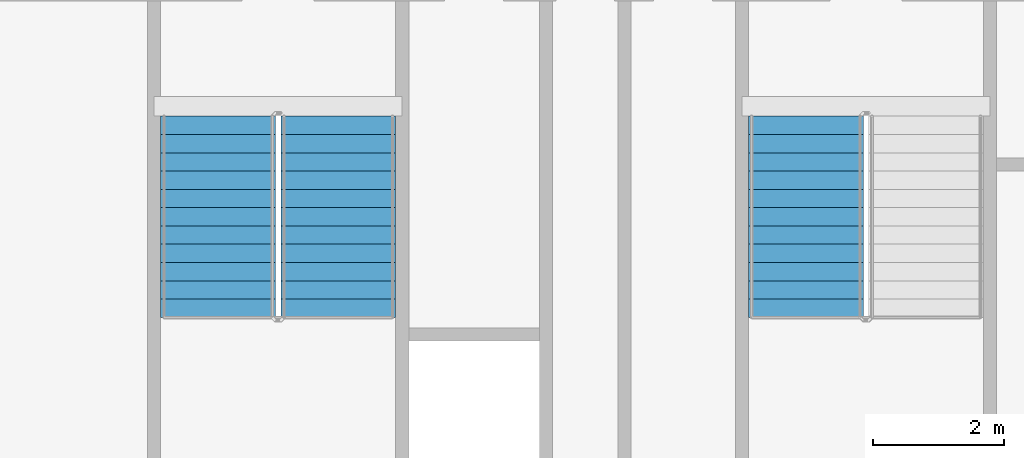
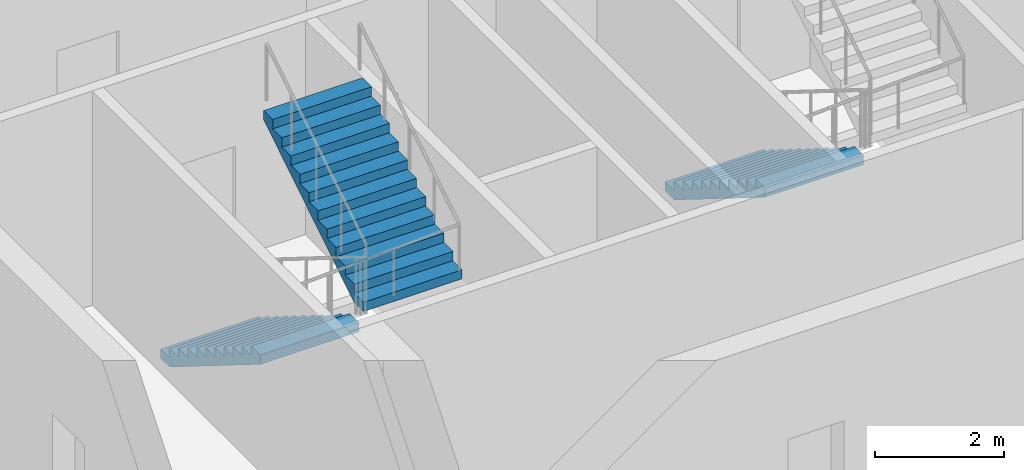
# One storey, part 28 of 35: 3 stair flights, 2 elements without a shape of their own.
"""IFC4 building model written with IfcOpenShell, lengths in metres."""

import ifcopenshell
import ifcopenshell.guid

model = None  # the IFC model being written
_history = None  # IfcOwnerHistory: only IFC2X3 demands one
_inside = {}  # id of a spatial element -> (the spatial element, [elements in it])
_under = {}  # id of a project, library or spatial element -> (it, [spatial elements below it])
_declared = {}  # id of a project -> (the project, [libraries it declares])
_typed = {}  # id of a type object -> (the type object, [elements of that type])
_made_of = {}  # id of a material, layer set ... -> (it, [elements and type objects made of it])


def new_model(schema):
    """Start an empty IFC model of exactly this schema.

    Asked for "IFC4X3", IfcOpenShell would pick the latest addendum, in which some entities
    have other attributes; the version numbers below select the first issue.
    IFC2X3 requires an IfcOwnerHistory on every rooted entity: one is made here for all.
    """
    global model, _history
    if schema == "IFC4X3":
        model = ifcopenshell.file(schema_version=(4, 3, 0, 0))
    else:
        model = ifcopenshell.file(schema=schema)
    _inside.clear()
    _under.clear()
    _declared.clear()
    _typed.clear()
    _made_of.clear()
    _history = None
    if model.schema == "IFC2X3":
        org = make("IfcOrganization", Name="unknown")
        user = make(
            "IfcPersonAndOrganization",
            ThePerson=make("IfcPerson", FamilyName="unknown"),
            TheOrganization=org,
        )
        app = make(
            "IfcApplication",
            ApplicationDeveloper=org,
            Version="unknown",
            ApplicationFullName="unknown",
            ApplicationIdentifier="unknown",
        )
        _history = make(
            "IfcOwnerHistory",
            OwningUser=user,
            OwningApplication=app,
            ChangeAction="ADDED",
            CreationDate=0,
        )
    return model


def make(cls, **values):
    """One entity of the class cls with the attributes given. An attribute that is None is left unset."""
    return model.create_entity(
        cls, **{name: value for name, value in values.items() if value is not None}
    )


def rooted(cls, **values):
    """An entity with a GlobalId (a new one), such as an element, a storey or a relation."""
    return make(cls, GlobalId=ifcopenshell.guid.new(), OwnerHistory=_history, **values)


def si_unit(unit_type, name, prefix=None):
    """IfcSIUnit, for example si_unit("LENGTHUNIT", "METRE", prefix="MILLI")."""
    return make("IfcSIUnit", UnitType=unit_type, Prefix=prefix, Name=name)


def assignment(units):
    """IfcUnitAssignment: the units of a project."""
    return None if units is None else make("IfcUnitAssignment", Units=units)


def point(xyz):
    """IfcCartesianPoint."""
    return None if xyz is None else make("IfcCartesianPoint", Coordinates=xyz)


def direction(xyz):
    """IfcDirection."""
    return None if xyz is None else make("IfcDirection", DirectionRatios=xyz)


def frame(location, z_axis=None, x_axis=None):
    """IfcAxis2Placement3D, a coordinate frame: its origin and axes. An axis left out is left unset."""
    return make(
        "IfcAxis2Placement3D",
        Location=point(location),
        Axis=direction(z_axis),
        RefDirection=direction(x_axis),
    )


def origin():
    """The frame at (0, 0, 0) with its axes left unset."""
    return frame((0.0, 0.0, 0.0))


def place(relative_to, where):
    """IfcLocalPlacement: puts the frame where relative to a parent placement (None: the world)."""
    return make(
        "IfcLocalPlacement", PlacementRelTo=relative_to, RelativePlacement=where
    )


def context(
    kind, dimensions, precision=None, world=None, true_north=None, identifier=None
):
    """IfcGeometricRepresentationContext, for example the 3D "Model" context."""
    return make(
        "IfcGeometricRepresentationContext",
        ContextIdentifier=identifier,
        ContextType=kind,
        CoordinateSpaceDimension=dimensions,
        Precision=precision,
        WorldCoordinateSystem=world,
        TrueNorth=true_north,
    )


def subcontext(parent, identifier, kind, view, scale=None):
    """IfcGeometricRepresentationSubContext, for example "Body" below "Model"."""
    return make(
        "IfcGeometricRepresentationSubContext",
        ContextIdentifier=identifier,
        ContextType=kind,
        ParentContext=parent,
        TargetScale=scale,
        TargetView=view,
    )


def project(units=None, contexts=None):
    """IfcProject with its units and contexts."""
    return rooted(
        "IfcProject",
        Name="project",
        RepresentationContexts=contexts,
        UnitsInContext=assignment(units),
    )


def spatial(cls, under=None, at=None, **own):
    """A site, building, storey or space (cls), placed at a placement, below another one or the project."""
    s = rooted(cls, ObjectPlacement=at, **own)
    if under is not None:
        _under.setdefault(under.id(), (under, []))[1].append(s)
    return s


def faces_of(points, faces, orient=None, outer=None):
    """IfcFace entities. A face is a list of loops; a loop is a list of indices into points, from 0.

    orient and outer hold one flag for each loop. By default every Orientation is true, the
    first loop of a face is its IfcFaceOuterBound and the others are IfcFaceBound.
    """
    made = []
    for i, loops in enumerate(faces):
        bounds = []
        for j, loop in enumerate(loops):
            is_outer = j == 0 if outer is None else outer[i][j]
            bounds.append(
                make(
                    "IfcFaceOuterBound" if is_outer else "IfcFaceBound",
                    Bound=make("IfcPolyLoop", Polygon=[points[k] for k in loop]),
                    Orientation=True if orient is None else orient[i][j],
                )
            )
        made.append(make("IfcFace", Bounds=bounds))
    return made


def faceted_brep(points, faces, orient=None, outer=None, voids=None):
    """IfcFacetedBrep: a solid bounded by flat faces; with voids (closed shells), ...WithVoids."""
    shared = [point(p) for p in points]
    hull = make("IfcClosedShell", CfsFaces=faces_of(shared, faces, orient, outer))
    if voids is None:
        return make("IfcFacetedBrep", Outer=hull)
    return make(
        "IfcFacetedBrepWithVoids",
        Outer=hull,
        Voids=[
            make(cls, CfsFaces=faces_of(shared, fs, o, b)) for cls, fs, o, b in voids
        ],
    )


def shape(context_of_items, identifier, shape_type, items):
    """IfcShapeRepresentation: the items that make up one representation, for example the "Body"."""
    return make(
        "IfcShapeRepresentation",
        ContextOfItems=context_of_items,
        RepresentationIdentifier=identifier,
        RepresentationType=shape_type,
        Items=items,
    )


def material(Name=None, Category=None):
    """IfcMaterial."""
    return make("IfcMaterial", Name=Name, Category=Category)


def made_of(thing, what):
    """Note that an element or type object is made of a material, layer set ...; save() writes the relation."""
    if what is not None:
        _made_of.setdefault(what.id(), (what, []))[1].append(thing)
    return thing


def type_object(cls, material=None, **own):
    """A type object (cls), such as IfcWallType, which elements share."""
    return made_of(rooted(cls, **own), material)


def element(
    cls,
    number,
    at=None,
    inside=None,
    cuts=None,
    type_object=None,
    material=None,
    context=None,
    identifier="Body",
    shape_type=None,
    held_by="IfcProductDefinitionShape",
    body=None,
    shapes=None,
    **own,
):
    """One element of the class cls, such as IfcWall. Its Tag is "e" and its number.

    at: its placement. inside: the storey or other place that contains it. cuts: it is an
    opening in that element (IfcRelVoidsElement). A single representation is given by context,
    identifier, shape_type and body (its items); several are given by shapes. held_by: the class
    of the entity that holds the representations. save() writes the other relations.
    """
    e = rooted(cls, Tag="e%d" % number, ObjectPlacement=at, **own)
    if body is not None:
        shapes = [shape(context, identifier, shape_type, body)]
    if shapes is not None:
        e.Representation = make(held_by, Representations=shapes)
    if inside is not None:
        _inside.setdefault(inside.id(), (inside, []))[1].append(e)
    if cuts is not None:
        rooted(
            "IfcRelVoidsElement", RelatingBuildingElement=cuts, RelatedOpeningElement=e
        )
    if type_object is not None:
        _typed.setdefault(type_object.id(), (type_object, []))[1].append(e)
    return made_of(e, material)


def aggregate(whole, parts):
    """IfcRelAggregates: a whole, such as a stair, and the parts it consists of."""
    return rooted("IfcRelAggregates", RelatingObject=whole, RelatedObjects=parts)


def save(model, path):
    """Write the relations noted so far, then the file.

    IfcRelAggregates (storeys below a building ...), IfcRelContainedInSpatialStructure (elements
    in a storey), IfcRelDefinesByType, IfcRelAssociatesMaterial and IfcRelDeclares: one each for
    every whole, place, type object, material and project.
    """
    for whole, parts in _under.values():
        aggregate(whole, parts)
    for where, things in _inside.values():
        rooted(
            "IfcRelContainedInSpatialStructure",
            RelatedElements=things,
            RelatingStructure=where,
        )
    for kind, things in _typed.values():
        rooted("IfcRelDefinesByType", RelatedObjects=things, RelatingType=kind)
    for what, things in _made_of.values():
        rooted("IfcRelAssociatesMaterial", RelatedObjects=things, RelatingMaterial=what)
    for by, libraries in _declared.values():
        rooted("IfcRelDeclares", RelatingContext=by, RelatedDefinitions=libraries)
    model.write(path)


model = new_model("IFC4")

# Units and contexts
model_context = context("Model", 3, precision=1e-05, world=origin(), true_north=direction((0.0, 1.0)))
body_context = subcontext(model_context, "Body", "Model", "MODEL_VIEW")
ifc_project = project(units=[si_unit("LENGTHUNIT", "METRE"), si_unit("AREAUNIT", "SQUARE_METRE"), si_unit("VOLUMEUNIT", "CUBIC_METRE"), si_unit("PLANEANGLEUNIT", "RADIAN"), si_unit("MASSUNIT", "GRAM", prefix="KILO")], contexts=[model_context])

# Site, building, storey
site_placement = place(None, origin())
site = spatial("IfcSite", under=ifc_project, at=site_placement, CompositionType="ELEMENT")
building_placement = place(site_placement, origin())
building = spatial("IfcBuilding", under=site, at=building_placement, Name="Tarsis Ring Headquarters", CompositionType="ELEMENT")
storey_placement = place(building_placement, frame((0.0, 0.0, 377.60009765625)))
storey = spatial("IfcBuildingStorey", under=building, at=storey_placement, Name="L89", CompositionType="ELEMENT", Elevation=377.60009765625)

# Stair, stair flights
ifc_material_1 = material(Name="Core stair 1760")
stair_type = type_object("IfcStairType", Name="Core stair 1760", PredefinedType="HALF_TURN_STAIR", material=ifc_material_1)
stair_1_placement = place(storey_placement, origin())
stair_1 = element("IfcStair", 1, at=stair_1_placement, inside=storey, type_object=stair_type, Name="L89 Exit stair C", PredefinedType="HALF_TURN_STAIR")
ifc_material_2 = material(Name="Concrete C40/50", Category="concrete")
stair_flight_type = type_object("IfcStairFlightType", Name="Core stair flight 1760", PredefinedType="STRAIGHT", material=ifc_material_2)
stair_flight_1_placement = place(storey_placement, frame((-5.419921875, -3.659912109375, 0.0), z_axis=(0.0, 0.0, 1.0), x_axis=(0.0, -1.0, 0.0)))
stair_flight_1 = element("IfcStairFlight", 2, at=stair_flight_1_placement, type_object=stair_flight_type, Name="Stair ST3 flight 1", NumberOfRisers=12, NumberOfTreads=11, PredefinedType="STRAIGHT", RiserHeight=0.175, TreadLength=0.28, context=body_context, shape_type="Brep", body=[
    faceted_brep([(0.0, 0.8798828125, 0.0), (0.0, 0.8798828125, 0.175048828125), (0.280029296875, 0.8798828125, 0.175048828125), (0.280029296875, 0.8798828125, 0.35009765625), (0.56005859375, 0.8798828125, 0.35009765625), (0.56005859375, 0.8798828125, 0.52490234375), (0.840087890625, 0.8798828125, 0.52490234375), (0.840087890625, 0.8798828125, 0.699951171875), (1.1201171875, 0.8798828125, 0.699951171875), (1.1201171875, 0.8798828125, 0.875), (1.39990234375, 0.8798828125, 0.875), (1.39990234375, 0.8798828125, 1.050048828125), (1.679931640625, 0.8798828125, 1.050048828125), (1.679931640625, 0.8798828125, 1.22509765625), (1.9599609375, 0.8798828125, 1.22509765625), (1.9599609375, 0.8798828125, 1.39990234375), (2.239990234375, 0.8798828125, 1.39990234375), (2.239990234375, 0.8798828125, 1.574951171875), (2.52001953125, 0.8798828125, 1.574951171875), (2.52001953125, 0.8798828125, 1.75), (2.800048828125, 0.8798828125, 1.75), (2.800048828125, 0.8798828125, 1.925048828125), (3.080078125, 0.8798828125, 1.925048828125), (3.080078125, 0.8798828125, 1.748291015625), (0.28271484375, 0.8798828125, 0.0), (0.28271484375, -0.8798828125, 0.0), (3.080078125, -0.8798828125, 1.748291015625), (3.080078125, -0.8798828125, 1.925048828125), (2.800048828125, -0.8798828125, 1.925048828125), (2.800048828125, -0.8798828125, 1.75), (2.52001953125, -0.8798828125, 1.75), (2.52001953125, -0.8798828125, 1.574951171875), (2.239990234375, -0.8798828125, 1.574951171875), (2.239990234375, -0.8798828125, 1.39990234375), (1.9599609375, -0.8798828125, 1.39990234375), (1.9599609375, -0.8798828125, 1.22509765625), (1.679931640625, -0.8798828125, 1.22509765625), (1.679931640625, -0.8798828125, 1.050048828125), (1.39990234375, -0.8798828125, 1.050048828125), (1.39990234375, -0.8798828125, 0.875), (1.1201171875, -0.8798828125, 0.875), (1.1201171875, -0.8798828125, 0.699951171875), (0.840087890625, -0.8798828125, 0.699951171875), (0.840087890625, -0.8798828125, 0.52490234375), (0.56005859375, -0.8798828125, 0.52490234375), (0.56005859375, -0.8798828125, 0.35009765625), (0.280029296875, -0.8798828125, 0.35009765625), (0.280029296875, -0.8798828125, 0.175048828125), (0.0, -0.8798828125, 0.175048828125), (0.0, -0.8798828125, 0.0), (0.0, -0.43994140625, 0.175048828125), (0.0, -0.43994140625, 0.0), (0.0, 0.0, 0.175048828125), (0.0, 0.0, 0.0), (0.0, 0.43994140625, 0.175048828125), (0.0, 0.43994140625, 0.0), (0.280029296875, -0.43994140625, 0.175048828125), (0.280029296875, 0.0, 0.175048828125), (0.280029296875, 0.43994140625, 0.175048828125), (0.280029296875, -0.43994140625, 0.35009765625), (0.280029296875, 0.0, 0.35009765625), (0.280029296875, 0.43994140625, 0.35009765625), (0.56005859375, -0.43994140625, 0.35009765625), (0.56005859375, 0.0, 0.35009765625), (0.56005859375, 0.43994140625, 0.35009765625), (0.56005859375, -0.43994140625, 0.52490234375), (0.56005859375, 0.0, 0.52490234375), (0.56005859375, 0.43994140625, 0.52490234375), (0.840087890625, -0.43994140625, 0.52490234375), (0.840087890625, 0.0, 0.52490234375), (0.840087890625, 0.43994140625, 0.52490234375), (0.840087890625, -0.43994140625, 0.699951171875), (0.840087890625, 0.0, 0.699951171875), (0.840087890625, 0.43994140625, 0.699951171875), (1.1201171875, -0.43994140625, 0.699951171875), (1.1201171875, 0.0, 0.699951171875), (1.1201171875, 0.43994140625, 0.699951171875), (1.1201171875, -0.43994140625, 0.875), (1.1201171875, 0.0, 0.875), (1.1201171875, 0.43994140625, 0.875), (1.39990234375, -0.43994140625, 0.875), (1.39990234375, 0.0, 0.875), (1.39990234375, 0.43994140625, 0.875), (1.39990234375, -0.43994140625, 1.050048828125), (1.39990234375, 0.0, 1.050048828125), (1.39990234375, 0.43994140625, 1.050048828125), (1.679931640625, -0.43994140625, 1.050048828125), (1.679931640625, 0.0, 1.050048828125), (1.679931640625, 0.43994140625, 1.050048828125), (1.679931640625, -0.43994140625, 1.22509765625), (1.679931640625, 0.0, 1.22509765625), (1.679931640625, 0.43994140625, 1.22509765625), (1.9599609375, -0.43994140625, 1.22509765625), (1.9599609375, 0.0, 1.22509765625), (1.9599609375, 0.43994140625, 1.22509765625), (1.9599609375, -0.43994140625, 1.39990234375), (1.9599609375, 0.0, 1.39990234375), (1.9599609375, 0.43994140625, 1.39990234375), (2.239990234375, -0.43994140625, 1.39990234375), (2.239990234375, 0.0, 1.39990234375), (2.239990234375, 0.43994140625, 1.39990234375), (2.239990234375, -0.43994140625, 1.574951171875), (2.239990234375, 0.0, 1.574951171875), (2.239990234375, 0.43994140625, 1.574951171875), (2.52001953125, -0.43994140625, 1.574951171875), (2.52001953125, 0.0, 1.574951171875), (2.52001953125, 0.43994140625, 1.574951171875), (2.52001953125, -0.43994140625, 1.75), (2.52001953125, 0.0, 1.75), (2.52001953125, 0.43994140625, 1.75), (2.800048828125, -0.43994140625, 1.75), (2.800048828125, 0.0, 1.75), (2.800048828125, 0.43994140625, 1.75), (2.800048828125, -0.43994140625, 1.925048828125), (2.800048828125, 0.0, 1.925048828125), (2.800048828125, 0.43994140625, 1.925048828125), (3.080078125, -0.43994140625, 1.925048828125), (3.080078125, 0.0, 1.925048828125), (3.080078125, 0.43994140625, 1.925048828125), (3.080078125, -0.43994140625, 1.748291015625), (3.080078125, 0.0, 1.748291015625), (3.080078125, 0.43994140625, 1.748291015625), (0.28271484375, -0.43994140625, 0.0), (0.28271484375, 0.0, 0.0), (0.28271484375, 0.43994140625, 0.0)], [[[0, 1, 2, 3, 4, 5, 6, 7, 8, 9, 10, 11, 12, 13, 14, 15, 16, 17, 18, 19, 20, 21, 22, 23, 24]], [[25, 26, 27, 28, 29, 30, 31, 32, 33, 34, 35, 36, 37, 38, 39, 40, 41, 42, 43, 44, 45, 46, 47, 48, 49]], [[49, 48, 50, 51]], [[51, 50, 52, 53]], [[53, 52, 54, 55]], [[55, 54, 1, 0]], [[48, 47, 56, 50]], [[50, 56, 57, 52]], [[52, 57, 58, 54]], [[54, 58, 2, 1]], [[47, 46, 59, 56]], [[56, 59, 60, 57]], [[57, 60, 61, 58]], [[58, 61, 3, 2]], [[46, 45, 62, 59]], [[59, 62, 63, 60]], [[60, 63, 64, 61]], [[61, 64, 4, 3]], [[45, 44, 65, 62]], [[62, 65, 66, 63]], [[63, 66, 67, 64]], [[64, 67, 5, 4]], [[44, 43, 68, 65]], [[65, 68, 69, 66]], [[66, 69, 70, 67]], [[67, 70, 6, 5]], [[43, 42, 71, 68]], [[68, 71, 72, 69]], [[69, 72, 73, 70]], [[70, 73, 7, 6]], [[42, 41, 74, 71]], [[71, 74, 75, 72]], [[72, 75, 76, 73]], [[73, 76, 8, 7]], [[41, 40, 77, 74]], [[74, 77, 78, 75]], [[75, 78, 79, 76]], [[76, 79, 9, 8]], [[40, 39, 80, 77]], [[77, 80, 81, 78]], [[78, 81, 82, 79]], [[79, 82, 10, 9]], [[39, 38, 83, 80]], [[80, 83, 84, 81]], [[81, 84, 85, 82]], [[82, 85, 11, 10]], [[38, 37, 86, 83]], [[83, 86, 87, 84]], [[84, 87, 88, 85]], [[85, 88, 12, 11]], [[37, 36, 89, 86]], [[86, 89, 90, 87]], [[87, 90, 91, 88]], [[88, 91, 13, 12]], [[36, 35, 92, 89]], [[89, 92, 93, 90]], [[90, 93, 94, 91]], [[91, 94, 14, 13]], [[35, 34, 95, 92]], [[92, 95, 96, 93]], [[93, 96, 97, 94]], [[94, 97, 15, 14]], [[34, 33, 98, 95]], [[95, 98, 99, 96]], [[96, 99, 100, 97]], [[97, 100, 16, 15]], [[33, 32, 101, 98]], [[98, 101, 102, 99]], [[99, 102, 103, 100]], [[100, 103, 17, 16]], [[32, 31, 104, 101]], [[101, 104, 105, 102]], [[102, 105, 106, 103]], [[103, 106, 18, 17]], [[31, 30, 107, 104]], [[104, 107, 108, 105]], [[105, 108, 109, 106]], [[106, 109, 19, 18]], [[30, 29, 110, 107]], [[107, 110, 111, 108]], [[108, 111, 112, 109]], [[109, 112, 20, 19]], [[29, 28, 113, 110]], [[110, 113, 114, 111]], [[111, 114, 115, 112]], [[112, 115, 21, 20]], [[28, 27, 116, 113]], [[113, 116, 117, 114]], [[114, 117, 118, 115]], [[115, 118, 22, 21]], [[27, 26, 119, 116]], [[116, 119, 120, 117]], [[117, 120, 121, 118]], [[118, 121, 23, 22]], [[26, 25, 122, 119]], [[119, 122, 123, 120]], [[120, 123, 124, 121]], [[121, 124, 24, 23]], [[25, 49, 51, 122]], [[122, 51, 53, 123]], [[123, 53, 55, 124]], [[124, 55, 0, 24]]]),
])
stair_flight_2_placement = place(storey_placement, frame((-3.580078125, -6.739990234375, 2.099853515625), z_axis=(0.0, 0.0, 1.0), x_axis=(0.0, 1.0, 0.0)))
stair_flight_2 = element("IfcStairFlight", 3, at=stair_flight_2_placement, type_object=stair_flight_type, Name="Stair ST3 flight 2", NumberOfRisers=12, NumberOfTreads=11, PredefinedType="STRAIGHT", RiserHeight=0.175, TreadLength=0.28, context=body_context, shape_type="Brep", body=[
    faceted_brep([(0.0, 0.8798828125, 0.0), (0.0, 0.8798828125, 0.175048828125), (0.280029296875, 0.8798828125, 0.175048828125), (0.280029296875, 0.8798828125, 0.35009765625), (0.56005859375, 0.8798828125, 0.35009765625), (0.56005859375, 0.8798828125, 0.52490234375), (0.840087890625, 0.8798828125, 0.52490234375), (0.840087890625, 0.8798828125, 0.699951171875), (1.1201171875, 0.8798828125, 0.699951171875), (1.1201171875, 0.8798828125, 0.875), (1.39990234375, 0.8798828125, 0.875), (1.39990234375, 0.8798828125, 1.050048828125), (1.679931640625, 0.8798828125, 1.050048828125), (1.679931640625, 0.8798828125, 1.22509765625), (1.9599609375, 0.8798828125, 1.22509765625), (1.9599609375, 0.8798828125, 1.39990234375), (2.239990234375, 0.8798828125, 1.39990234375), (2.239990234375, 0.8798828125, 1.574951171875), (2.52001953125, 0.8798828125, 1.574951171875), (2.52001953125, 0.8798828125, 1.75), (2.800048828125, 0.8798828125, 1.75), (2.800048828125, 0.8798828125, 1.925048828125), (3.080078125, 0.8798828125, 1.925048828125), (3.080078125, 0.8798828125, 1.748291015625), (0.28271484375, 0.8798828125, 0.0), (0.28271484375, -0.8798828125, 0.0), (3.080078125, -0.8798828125, 1.748291015625), (3.080078125, -0.8798828125, 1.925048828125), (2.800048828125, -0.8798828125, 1.925048828125), (2.800048828125, -0.8798828125, 1.75), (2.52001953125, -0.8798828125, 1.75), (2.52001953125, -0.8798828125, 1.574951171875), (2.239990234375, -0.8798828125, 1.574951171875), (2.239990234375, -0.8798828125, 1.39990234375), (1.9599609375, -0.8798828125, 1.39990234375), (1.9599609375, -0.8798828125, 1.22509765625), (1.679931640625, -0.8798828125, 1.22509765625), (1.679931640625, -0.8798828125, 1.050048828125), (1.39990234375, -0.8798828125, 1.050048828125), (1.39990234375, -0.8798828125, 0.875), (1.1201171875, -0.8798828125, 0.875), (1.1201171875, -0.8798828125, 0.699951171875), (0.840087890625, -0.8798828125, 0.699951171875), (0.840087890625, -0.8798828125, 0.52490234375), (0.56005859375, -0.8798828125, 0.52490234375), (0.56005859375, -0.8798828125, 0.35009765625), (0.280029296875, -0.8798828125, 0.35009765625), (0.280029296875, -0.8798828125, 0.175048828125), (0.0, -0.8798828125, 0.175048828125), (0.0, -0.8798828125, 0.0), (0.0, -0.43994140625, 0.175048828125), (0.0, -0.43994140625, 0.0), (0.0, 0.0, 0.175048828125), (0.0, 0.0, 0.0), (0.0, 0.43994140625, 0.175048828125), (0.0, 0.43994140625, 0.0), (0.280029296875, -0.43994140625, 0.175048828125), (0.280029296875, 0.0, 0.175048828125), (0.280029296875, 0.43994140625, 0.175048828125), (0.280029296875, -0.43994140625, 0.35009765625), (0.280029296875, 0.0, 0.35009765625), (0.280029296875, 0.43994140625, 0.35009765625), (0.56005859375, -0.43994140625, 0.35009765625), (0.56005859375, 0.0, 0.35009765625), (0.56005859375, 0.43994140625, 0.35009765625), (0.56005859375, -0.43994140625, 0.52490234375), (0.56005859375, 0.0, 0.52490234375), (0.56005859375, 0.43994140625, 0.52490234375), (0.840087890625, -0.43994140625, 0.52490234375), (0.840087890625, 0.0, 0.52490234375), (0.840087890625, 0.43994140625, 0.52490234375), (0.840087890625, -0.43994140625, 0.699951171875), (0.840087890625, 0.0, 0.699951171875), (0.840087890625, 0.43994140625, 0.699951171875), (1.1201171875, -0.43994140625, 0.699951171875), (1.1201171875, 0.0, 0.699951171875), (1.1201171875, 0.43994140625, 0.699951171875), (1.1201171875, -0.43994140625, 0.875), (1.1201171875, 0.0, 0.875), (1.1201171875, 0.43994140625, 0.875), (1.39990234375, -0.43994140625, 0.875), (1.39990234375, 0.0, 0.875), (1.39990234375, 0.43994140625, 0.875), (1.39990234375, -0.43994140625, 1.050048828125), (1.39990234375, 0.0, 1.050048828125), (1.39990234375, 0.43994140625, 1.050048828125), (1.679931640625, -0.43994140625, 1.050048828125), (1.679931640625, 0.0, 1.050048828125), (1.679931640625, 0.43994140625, 1.050048828125), (1.679931640625, -0.43994140625, 1.22509765625), (1.679931640625, 0.0, 1.22509765625), (1.679931640625, 0.43994140625, 1.22509765625), (1.9599609375, -0.43994140625, 1.22509765625), (1.9599609375, 0.0, 1.22509765625), (1.9599609375, 0.43994140625, 1.22509765625), (1.9599609375, -0.43994140625, 1.39990234375), (1.9599609375, 0.0, 1.39990234375), (1.9599609375, 0.43994140625, 1.39990234375), (2.239990234375, -0.43994140625, 1.39990234375), (2.239990234375, 0.0, 1.39990234375), (2.239990234375, 0.43994140625, 1.39990234375), (2.239990234375, -0.43994140625, 1.574951171875), (2.239990234375, 0.0, 1.574951171875), (2.239990234375, 0.43994140625, 1.574951171875), (2.52001953125, -0.43994140625, 1.574951171875), (2.52001953125, 0.0, 1.574951171875), (2.52001953125, 0.43994140625, 1.574951171875), (2.52001953125, -0.43994140625, 1.75), (2.52001953125, 0.0, 1.75), (2.52001953125, 0.43994140625, 1.75), (2.800048828125, -0.43994140625, 1.75), (2.800048828125, 0.0, 1.75), (2.800048828125, 0.43994140625, 1.75), (2.800048828125, -0.43994140625, 1.925048828125), (2.800048828125, 0.0, 1.925048828125), (2.800048828125, 0.43994140625, 1.925048828125), (3.080078125, -0.43994140625, 1.925048828125), (3.080078125, 0.0, 1.925048828125), (3.080078125, 0.43994140625, 1.925048828125), (3.080078125, -0.43994140625, 1.748291015625), (3.080078125, 0.0, 1.748291015625), (3.080078125, 0.43994140625, 1.748291015625), (0.28271484375, -0.43994140625, 0.0), (0.28271484375, 0.0, 0.0), (0.28271484375, 0.43994140625, 0.0)], [[[0, 1, 2, 3, 4, 5, 6, 7, 8, 9, 10, 11, 12, 13, 14, 15, 16, 17, 18, 19, 20, 21, 22, 23, 24]], [[25, 26, 27, 28, 29, 30, 31, 32, 33, 34, 35, 36, 37, 38, 39, 40, 41, 42, 43, 44, 45, 46, 47, 48, 49]], [[49, 48, 50, 51]], [[51, 50, 52, 53]], [[53, 52, 54, 55]], [[55, 54, 1, 0]], [[48, 47, 56, 50]], [[50, 56, 57, 52]], [[52, 57, 58, 54]], [[54, 58, 2, 1]], [[47, 46, 59, 56]], [[56, 59, 60, 57]], [[57, 60, 61, 58]], [[58, 61, 3, 2]], [[46, 45, 62, 59]], [[59, 62, 63, 60]], [[60, 63, 64, 61]], [[61, 64, 4, 3]], [[45, 44, 65, 62]], [[62, 65, 66, 63]], [[63, 66, 67, 64]], [[64, 67, 5, 4]], [[44, 43, 68, 65]], [[65, 68, 69, 66]], [[66, 69, 70, 67]], [[67, 70, 6, 5]], [[43, 42, 71, 68]], [[68, 71, 72, 69]], [[69, 72, 73, 70]], [[70, 73, 7, 6]], [[42, 41, 74, 71]], [[71, 74, 75, 72]], [[72, 75, 76, 73]], [[73, 76, 8, 7]], [[41, 40, 77, 74]], [[74, 77, 78, 75]], [[75, 78, 79, 76]], [[76, 79, 9, 8]], [[40, 39, 80, 77]], [[77, 80, 81, 78]], [[78, 81, 82, 79]], [[79, 82, 10, 9]], [[39, 38, 83, 80]], [[80, 83, 84, 81]], [[81, 84, 85, 82]], [[82, 85, 11, 10]], [[38, 37, 86, 83]], [[83, 86, 87, 84]], [[84, 87, 88, 85]], [[85, 88, 12, 11]], [[37, 36, 89, 86]], [[86, 89, 90, 87]], [[87, 90, 91, 88]], [[88, 91, 13, 12]], [[36, 35, 92, 89]], [[89, 92, 93, 90]], [[90, 93, 94, 91]], [[91, 94, 14, 13]], [[35, 34, 95, 92]], [[92, 95, 96, 93]], [[93, 96, 97, 94]], [[94, 97, 15, 14]], [[34, 33, 98, 95]], [[95, 98, 99, 96]], [[96, 99, 100, 97]], [[97, 100, 16, 15]], [[33, 32, 101, 98]], [[98, 101, 102, 99]], [[99, 102, 103, 100]], [[100, 103, 17, 16]], [[32, 31, 104, 101]], [[101, 104, 105, 102]], [[102, 105, 106, 103]], [[103, 106, 18, 17]], [[31, 30, 107, 104]], [[104, 107, 108, 105]], [[105, 108, 109, 106]], [[106, 109, 19, 18]], [[30, 29, 110, 107]], [[107, 110, 111, 108]], [[108, 111, 112, 109]], [[109, 112, 20, 19]], [[29, 28, 113, 110]], [[110, 113, 114, 111]], [[111, 114, 115, 112]], [[112, 115, 21, 20]], [[28, 27, 116, 113]], [[113, 116, 117, 114]], [[114, 117, 118, 115]], [[115, 118, 22, 21]], [[27, 26, 119, 116]], [[116, 119, 120, 117]], [[117, 120, 121, 118]], [[118, 121, 23, 22]], [[26, 25, 122, 119]], [[119, 122, 123, 120]], [[120, 123, 124, 121]], [[121, 124, 24, 23]], [[25, 49, 51, 122]], [[122, 51, 53, 123]], [[123, 53, 55, 124]], [[124, 55, 0, 24]]]),
])
aggregate(stair_1, [stair_flight_1, stair_flight_2])

# Stair, stair flight
stair_2_placement = place(storey_placement, origin())
stair_2 = element("IfcStair", 4, at=stair_2_placement, inside=storey, type_object=stair_type, Name="L89 Exit stair D", PredefinedType="HALF_TURN_STAIR")
stair_flight_3_placement = place(storey_placement, frame((3.580078125, -3.659912109375, 0.0), z_axis=(0.0, 0.0, 1.0), x_axis=(0.0, -1.0, 0.0)))
stair_flight_3 = element("IfcStairFlight", 5, at=stair_flight_3_placement, type_object=stair_flight_type, Name="Stair ST4 flight 1", NumberOfRisers=12, NumberOfTreads=11, PredefinedType="STRAIGHT", RiserHeight=0.175, TreadLength=0.28, context=body_context, shape_type="Brep", body=[
    faceted_brep([(0.0, 0.8798828125, 0.0), (0.0, 0.8798828125, 0.175048828125), (0.280029296875, 0.8798828125, 0.175048828125), (0.280029296875, 0.8798828125, 0.35009765625), (0.56005859375, 0.8798828125, 0.35009765625), (0.56005859375, 0.8798828125, 0.52490234375), (0.840087890625, 0.8798828125, 0.52490234375), (0.840087890625, 0.8798828125, 0.699951171875), (1.1201171875, 0.8798828125, 0.699951171875), (1.1201171875, 0.8798828125, 0.875), (1.39990234375, 0.8798828125, 0.875), (1.39990234375, 0.8798828125, 1.050048828125), (1.679931640625, 0.8798828125, 1.050048828125), (1.679931640625, 0.8798828125, 1.22509765625), (1.9599609375, 0.8798828125, 1.22509765625), (1.9599609375, 0.8798828125, 1.39990234375), (2.239990234375, 0.8798828125, 1.39990234375), (2.239990234375, 0.8798828125, 1.574951171875), (2.52001953125, 0.8798828125, 1.574951171875), (2.52001953125, 0.8798828125, 1.75), (2.800048828125, 0.8798828125, 1.75), (2.800048828125, 0.8798828125, 1.925048828125), (3.080078125, 0.8798828125, 1.925048828125), (3.080078125, 0.8798828125, 1.748291015625), (0.28271484375, 0.8798828125, 0.0), (0.28271484375, -0.8798828125, 0.0), (3.080078125, -0.8798828125, 1.748291015625), (3.080078125, -0.8798828125, 1.925048828125), (2.800048828125, -0.8798828125, 1.925048828125), (2.800048828125, -0.8798828125, 1.75), (2.52001953125, -0.8798828125, 1.75), (2.52001953125, -0.8798828125, 1.574951171875), (2.239990234375, -0.8798828125, 1.574951171875), (2.239990234375, -0.8798828125, 1.39990234375), (1.9599609375, -0.8798828125, 1.39990234375), (1.9599609375, -0.8798828125, 1.22509765625), (1.679931640625, -0.8798828125, 1.22509765625), (1.679931640625, -0.8798828125, 1.050048828125), (1.39990234375, -0.8798828125, 1.050048828125), (1.39990234375, -0.8798828125, 0.875), (1.1201171875, -0.8798828125, 0.875), (1.1201171875, -0.8798828125, 0.699951171875), (0.840087890625, -0.8798828125, 0.699951171875), (0.840087890625, -0.8798828125, 0.52490234375), (0.56005859375, -0.8798828125, 0.52490234375), (0.56005859375, -0.8798828125, 0.35009765625), (0.280029296875, -0.8798828125, 0.35009765625), (0.280029296875, -0.8798828125, 0.175048828125), (0.0, -0.8798828125, 0.175048828125), (0.0, -0.8798828125, 0.0), (0.0, -0.43994140625, 0.175048828125), (0.0, -0.43994140625, 0.0), (0.0, 0.0, 0.175048828125), (0.0, 0.0, 0.0), (0.0, 0.43994140625, 0.175048828125), (0.0, 0.43994140625, 0.0), (0.280029296875, -0.43994140625, 0.175048828125), (0.280029296875, 0.0, 0.175048828125), (0.280029296875, 0.43994140625, 0.175048828125), (0.280029296875, -0.43994140625, 0.35009765625), (0.280029296875, 0.0, 0.35009765625), (0.280029296875, 0.43994140625, 0.35009765625), (0.56005859375, -0.43994140625, 0.35009765625), (0.56005859375, 0.0, 0.35009765625), (0.56005859375, 0.43994140625, 0.35009765625), (0.56005859375, -0.43994140625, 0.52490234375), (0.56005859375, 0.0, 0.52490234375), (0.56005859375, 0.43994140625, 0.52490234375), (0.840087890625, -0.43994140625, 0.52490234375), (0.840087890625, 0.0, 0.52490234375), (0.840087890625, 0.43994140625, 0.52490234375), (0.840087890625, -0.43994140625, 0.699951171875), (0.840087890625, 0.0, 0.699951171875), (0.840087890625, 0.43994140625, 0.699951171875), (1.1201171875, -0.43994140625, 0.699951171875), (1.1201171875, 0.0, 0.699951171875), (1.1201171875, 0.43994140625, 0.699951171875), (1.1201171875, -0.43994140625, 0.875), (1.1201171875, 0.0, 0.875), (1.1201171875, 0.43994140625, 0.875), (1.39990234375, -0.43994140625, 0.875), (1.39990234375, 0.0, 0.875), (1.39990234375, 0.43994140625, 0.875), (1.39990234375, -0.43994140625, 1.050048828125), (1.39990234375, 0.0, 1.050048828125), (1.39990234375, 0.43994140625, 1.050048828125), (1.679931640625, -0.43994140625, 1.050048828125), (1.679931640625, 0.0, 1.050048828125), (1.679931640625, 0.43994140625, 1.050048828125), (1.679931640625, -0.43994140625, 1.22509765625), (1.679931640625, 0.0, 1.22509765625), (1.679931640625, 0.43994140625, 1.22509765625), (1.9599609375, -0.43994140625, 1.22509765625), (1.9599609375, 0.0, 1.22509765625), (1.9599609375, 0.43994140625, 1.22509765625), (1.9599609375, -0.43994140625, 1.39990234375), (1.9599609375, 0.0, 1.39990234375), (1.9599609375, 0.43994140625, 1.39990234375), (2.239990234375, -0.43994140625, 1.39990234375), (2.239990234375, 0.0, 1.39990234375), (2.239990234375, 0.43994140625, 1.39990234375), (2.239990234375, -0.43994140625, 1.574951171875), (2.239990234375, 0.0, 1.574951171875), (2.239990234375, 0.43994140625, 1.574951171875), (2.52001953125, -0.43994140625, 1.574951171875), (2.52001953125, 0.0, 1.574951171875), (2.52001953125, 0.43994140625, 1.574951171875), (2.52001953125, -0.43994140625, 1.75), (2.52001953125, 0.0, 1.75), (2.52001953125, 0.43994140625, 1.75), (2.800048828125, -0.43994140625, 1.75), (2.800048828125, 0.0, 1.75), (2.800048828125, 0.43994140625, 1.75), (2.800048828125, -0.43994140625, 1.925048828125), (2.800048828125, 0.0, 1.925048828125), (2.800048828125, 0.43994140625, 1.925048828125), (3.080078125, -0.43994140625, 1.925048828125), (3.080078125, 0.0, 1.925048828125), (3.080078125, 0.43994140625, 1.925048828125), (3.080078125, -0.43994140625, 1.748291015625), (3.080078125, 0.0, 1.748291015625), (3.080078125, 0.43994140625, 1.748291015625), (0.28271484375, -0.43994140625, 0.0), (0.28271484375, 0.0, 0.0), (0.28271484375, 0.43994140625, 0.0)], [[[0, 1, 2, 3, 4, 5, 6, 7, 8, 9, 10, 11, 12, 13, 14, 15, 16, 17, 18, 19, 20, 21, 22, 23, 24]], [[25, 26, 27, 28, 29, 30, 31, 32, 33, 34, 35, 36, 37, 38, 39, 40, 41, 42, 43, 44, 45, 46, 47, 48, 49]], [[49, 48, 50, 51]], [[51, 50, 52, 53]], [[53, 52, 54, 55]], [[55, 54, 1, 0]], [[48, 47, 56, 50]], [[50, 56, 57, 52]], [[52, 57, 58, 54]], [[54, 58, 2, 1]], [[47, 46, 59, 56]], [[56, 59, 60, 57]], [[57, 60, 61, 58]], [[58, 61, 3, 2]], [[46, 45, 62, 59]], [[59, 62, 63, 60]], [[60, 63, 64, 61]], [[61, 64, 4, 3]], [[45, 44, 65, 62]], [[62, 65, 66, 63]], [[63, 66, 67, 64]], [[64, 67, 5, 4]], [[44, 43, 68, 65]], [[65, 68, 69, 66]], [[66, 69, 70, 67]], [[67, 70, 6, 5]], [[43, 42, 71, 68]], [[68, 71, 72, 69]], [[69, 72, 73, 70]], [[70, 73, 7, 6]], [[42, 41, 74, 71]], [[71, 74, 75, 72]], [[72, 75, 76, 73]], [[73, 76, 8, 7]], [[41, 40, 77, 74]], [[74, 77, 78, 75]], [[75, 78, 79, 76]], [[76, 79, 9, 8]], [[40, 39, 80, 77]], [[77, 80, 81, 78]], [[78, 81, 82, 79]], [[79, 82, 10, 9]], [[39, 38, 83, 80]], [[80, 83, 84, 81]], [[81, 84, 85, 82]], [[82, 85, 11, 10]], [[38, 37, 86, 83]], [[83, 86, 87, 84]], [[84, 87, 88, 85]], [[85, 88, 12, 11]], [[37, 36, 89, 86]], [[86, 89, 90, 87]], [[87, 90, 91, 88]], [[88, 91, 13, 12]], [[36, 35, 92, 89]], [[89, 92, 93, 90]], [[90, 93, 94, 91]], [[91, 94, 14, 13]], [[35, 34, 95, 92]], [[92, 95, 96, 93]], [[93, 96, 97, 94]], [[94, 97, 15, 14]], [[34, 33, 98, 95]], [[95, 98, 99, 96]], [[96, 99, 100, 97]], [[97, 100, 16, 15]], [[33, 32, 101, 98]], [[98, 101, 102, 99]], [[99, 102, 103, 100]], [[100, 103, 17, 16]], [[32, 31, 104, 101]], [[101, 104, 105, 102]], [[102, 105, 106, 103]], [[103, 106, 18, 17]], [[31, 30, 107, 104]], [[104, 107, 108, 105]], [[105, 108, 109, 106]], [[106, 109, 19, 18]], [[30, 29, 110, 107]], [[107, 110, 111, 108]], [[108, 111, 112, 109]], [[109, 112, 20, 19]], [[29, 28, 113, 110]], [[110, 113, 114, 111]], [[111, 114, 115, 112]], [[112, 115, 21, 20]], [[28, 27, 116, 113]], [[113, 116, 117, 114]], [[114, 117, 118, 115]], [[115, 118, 22, 21]], [[27, 26, 119, 116]], [[116, 119, 120, 117]], [[117, 120, 121, 118]], [[118, 121, 23, 22]], [[26, 25, 122, 119]], [[119, 122, 123, 120]], [[120, 123, 124, 121]], [[121, 124, 24, 23]], [[25, 49, 51, 122]], [[122, 51, 53, 123]], [[123, 53, 55, 124]], [[124, 55, 0, 24]]]),
])
aggregate(stair_2, [stair_flight_3])

save(model, "model.ifc")
